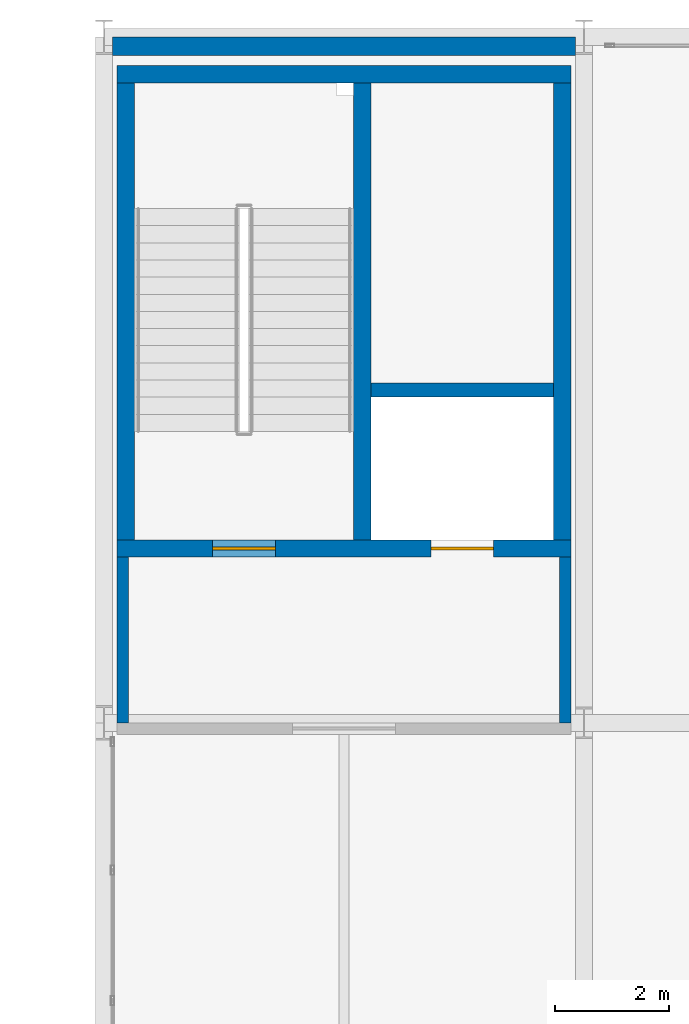
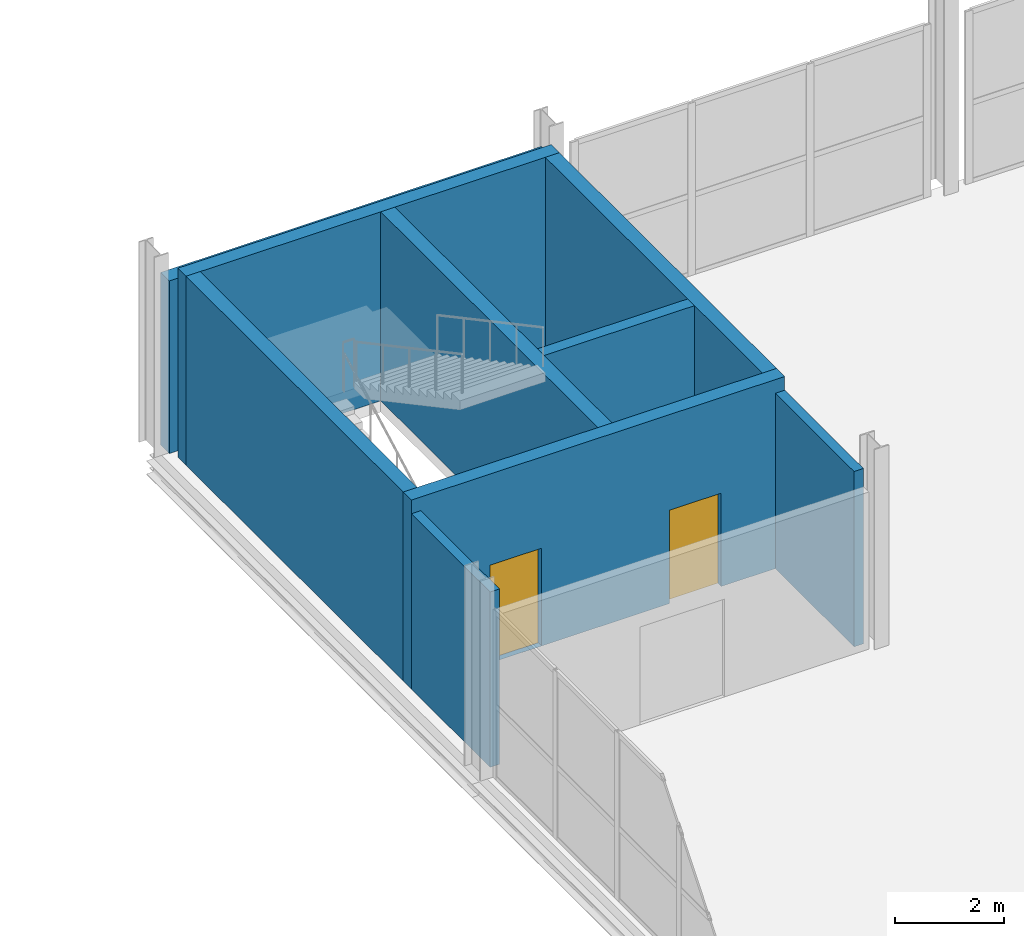
# One storey, part 99 of 109: 9 walls, 2 doors, 2 openings.
"""IFC4 building model written with IfcOpenShell, lengths in metres."""

from ifc_helpers import new_model, si_unit, direction, frame, frame_2d, origin, place, context, subcontext, project, spatial, rectangle, extrude, material, layer, layer_set, type_object, element, fill, save


model = new_model("IFC4")

# Units and contexts
model_context = context("Model", 3, precision=1e-05, world=origin(), true_north=direction((0.0, 1.0)))
body_context = subcontext(model_context, "Body", "Model", "MODEL_VIEW")
ifc_project = project(units=[si_unit("LENGTHUNIT", "METRE"), si_unit("AREAUNIT", "SQUARE_METRE"), si_unit("VOLUMEUNIT", "CUBIC_METRE"), si_unit("PLANEANGLEUNIT", "RADIAN"), si_unit("MASSUNIT", "GRAM", prefix="KILO")], contexts=[model_context])

# Site, building, storey
site_placement = place(None, origin())
site = spatial("IfcSite", under=ifc_project, at=site_placement, CompositionType="ELEMENT")
building_placement = place(site_placement, origin())
building = spatial("IfcBuilding", under=site, at=building_placement, Name="Veltarok Museum of Natural Sciences", CompositionType="ELEMENT")
storey_placement = place(building_placement, frame((0.0, 0.0, 17.39990234375)))
storey = spatial("IfcBuildingStorey", under=building, at=storey_placement, Name="L03", CompositionType="ELEMENT", Elevation=17.39990234375)

# Walls
ifc_material_1 = material(Name="Concrete C35/45", Category="concrete")
ifc_layer_1 = layer(ifc_material_1, 0.199951171875)
ifc_layer_set_1 = layer_set([ifc_layer_1], Name="Concrete C35/45")
wall_type_1 = type_object("IfcWallType", Name="Firefighting Lobby Compartment Wall 200", PredefinedType="SOLIDWALL", material=ifc_layer_set_1)
for number, where, z_axis, x_axis, name in (
    (1, (40.330078125, 60.0, 0.0), (0.0, 0.0, 1.0), (0.0, 1.0, 0.0), "Firefighting Lobby Wall C3 L03 W"),
    (2, (48.070068359375, 62.89990234375, 0.0), (0.0, 0.0, 1.0), (0.0, -1.0, 0.0), "Firefighting Lobby Wall C3 L03 E"),
):
    element("IfcWall", number, at=place(storey_placement, frame(where, z_axis=z_axis, x_axis=x_axis)), inside=storey, type_object=wall_type_1, Name=name, PredefinedType="SOLIDWALL", context=body_context, shape_type="SweptSolid", body=[
        extrude(rectangle(XDim=2.89990234375, YDim=0.199951171875, at=frame_2d((1.449951171875, 0.0))), origin(), (0.0, 0.0, 1.0), 3.942138671875),
    ])
ifc_material_2 = material(Name="Precast concrete C40/50", Category="concrete")
ifc_layer_2 = layer(ifc_material_2, 0.320068359375)
ifc_layer_set_2 = layer_set([ifc_layer_2], Name="Precast concrete C40/50")
wall_type_2 = type_object("IfcWallType", Name="Insulated Precast Facade Wall 320", PredefinedType="SOLIDWALL", material=ifc_layer_set_2)
wall_1_placement = place(storey_placement, frame((48.25, 71.840087890625, 0.0), z_axis=(0.0, 0.0, 1.0), x_axis=(-1.0, 0.0, 0.0)))
element("IfcWall", 3, at=wall_1_placement, inside=storey, type_object=wall_type_2, Name="Core C3 North Exterior Facade Wall L03", PredefinedType="SOLIDWALL", context=body_context, shape_type="SweptSolid", body=[
    extrude(rectangle(XDim=8.10009765625, YDim=0.320068359375, at=frame_2d((4.050048828125, 0.0))), origin(), (0.0, 0.0, 1.0), 3.880126953125),
])
ifc_material_3 = material(Name="Concrete C40/50", Category="concrete")
ifc_layer_3 = layer(ifc_material_3, 0.25)
ifc_layer_set_3 = layer_set([ifc_layer_3], Name="Concrete C40/50")
wall_type_3 = type_object("IfcWallType", Name="Lift Shaft Concrete Shear Wall 250", PredefinedType="SHEAR", material=ifc_layer_set_3)
wall_2_placement = place(storey_placement, frame((44.669921875, 65.824951171875, 0.0), z_axis=(0.0, 0.0, 1.0), x_axis=(1.0, 0.0, 0.0)))
element("IfcWall", 4, at=wall_2_placement, inside=storey, type_object=wall_type_3, Name="Lift Shaft Back Wall C3 L03", PredefinedType="SHEAR", context=body_context, shape_type="SweptSolid", body=[
    extrude(rectangle(XDim=3.2001953125, YDim=0.25, at=frame_2d((1.60009765625, 0.0))), origin(), (0.0, 0.0, 1.0), 4.25),
])

# Wall, openings, doors
ifc_layer_4 = layer(ifc_material_3, 0.300048828125)
ifc_layer_set_4 = layer_set([ifc_layer_4], Name="Concrete C40/50")
wall_type_4 = type_object("IfcWallType", Name="Protected Core Shear Wall 300", PredefinedType="SHEAR", material=ifc_layer_set_4)
wall_3_placement = place(storey_placement, frame((40.22998046875, 63.050048828125, 0.0), z_axis=(0.0, 0.0, 1.0), x_axis=(1.0, 0.0, 0.0)))
wall_3 = element("IfcWall", 5, at=wall_3_placement, inside=storey, type_object=wall_type_4, Name="Core Shear Wall C3 L03 S", PredefinedType="SHEAR", context=body_context, shape_type="SweptSolid", body=[
    extrude(rectangle(XDim=7.93994140625, YDim=0.300048828125, at=frame_2d((3.969970703125, 0.0))), origin(), (0.0, 0.0, 1.0), 4.25),
])
opening_1_placement = place(wall_3_placement, frame((1.669921875, 0.0, 0.0)))
opening_1 = element("IfcOpeningElement", 6, at=opening_1_placement, cuts=wall_3, Name="Opening D-L03-050", PredefinedType="OPENING", context=body_context, shape_type="SweptSolid", body=[
    extrude(rectangle(XDim=1.10009765625, YDim=2.199951171875, at=frame_2d((0.550048828125, 1.10009765625))), frame((0.0, 0.16015625, 0.0), z_axis=(0.0, -1.0, 0.0), x_axis=(1.0, 0.0, 0.0)), (0.0, 0.0, 1.0), 0.320068359375),
])
opening_2_placement = place(wall_3_placement, frame((5.489990234375, 0.0, 0.0)))
opening_2 = element("IfcOpeningElement", 7, at=opening_2_placement, cuts=wall_3, Name="Opening LD-L03-LP-03", PredefinedType="OPENING", context=body_context, shape_type="SweptSolid", body=[
    extrude(rectangle(XDim=1.10009765625, YDim=2.10009765625, at=frame_2d((0.550048828125, 1.050048828125))), frame((0.0, 0.16015625, 0.0), z_axis=(0.0, -1.0, 0.0), x_axis=(1.0, 0.0, 0.0)), (0.0, 0.0, 1.0), 0.320068359375),
])
ifc_material_4 = material(Name="Fire-rated painted steel", Category="steel")
door_type_1 = type_object("IfcDoorType", Name="Fire Core Single Escape Door 1100x2200", OperationType="NOTDEFINED", PredefinedType="DOOR", material=ifc_material_4)
door_1_placement = place(opening_1_placement, origin())
door_1 = element("IfcDoor", 8, at=door_1_placement, inside=storey, type_object=door_type_1, Name="Protected Stair Door ST-03 L03", OperationType="SINGLE_SWING_RIGHT", OverallHeight=2.199951171875, OverallWidth=1.10009765625, PredefinedType="DOOR", context=body_context, shape_type="SweptSolid", body=[
    extrude(rectangle(XDim=1.10009765625, YDim=2.199951171875, at=frame_2d((0.550048828125, 1.10009765625))), frame((0.0, 0.02490234375, 0.0), z_axis=(0.0, -1.0, 0.0), x_axis=(1.0, 0.0, 0.0)), (0.0, 0.0, 1.0), 0.050048828125),
])
fill(opening_1, door_1)
ifc_material_5 = material(Name="Brushed stainless steel", Category="steel")
door_type_2 = type_object("IfcDoorType", Name="Passenger and Firefighting Lift Landing Door 1100x2100", OperationType="SLIDING_TO_LEFT", PredefinedType="DOOR", material=ifc_material_5)
door_2_placement = place(opening_2_placement, origin())
door_2 = element("IfcDoor", 9, at=door_2_placement, inside=storey, type_object=door_type_2, Name="Sliding Lift Landing Door LD-L03-LP-03", OperationType="SLIDING_TO_LEFT", OverallHeight=2.10009765625, OverallWidth=1.10009765625, PredefinedType="DOOR", context=body_context, shape_type="SweptSolid", body=[
    extrude(rectangle(XDim=1.10009765625, YDim=2.10009765625, at=frame_2d((0.550048828125, 1.050048828125))), frame((0.0, 0.02490234375, 0.0), z_axis=(0.0, -1.0, 0.0), x_axis=(1.0, 0.0, 0.0)), (0.0, 0.0, 1.0), 0.050048828125),
])
fill(opening_2, door_2)

# Walls
wall_4_placement = place(storey_placement, frame((48.169921875, 71.35009765625, 0.0), z_axis=(0.0, 0.0, 1.0), x_axis=(-1.0, 0.0, 0.0)))
element("IfcWall", 10, at=wall_4_placement, inside=storey, type_object=wall_type_4, Name="Core Shear Wall C3 L03 N", PredefinedType="SHEAR", context=body_context, shape_type="SweptSolid", body=[
    extrude(rectangle(XDim=7.93994140625, YDim=0.300048828125, at=frame_2d((3.969970703125, 0.0))), origin(), (0.0, 0.0, 1.0), 4.25),
])
for number, where, z_axis, x_axis, name in (
    (11, (40.3798828125, 71.199951171875, 0.0), (0.0, 0.0, 1.0), (0.0, -1.0, 0.0), "Core Shear Wall C3 L03 W"),
    (12, (48.02001953125, 63.199951171875, 0.0), (0.0, 0.0, 1.0), (0.0, 1.0, 0.0), "Core Shear Wall C3 L03 E"),
    (13, (44.52001953125, 63.199951171875, 0.0), (0.0, 0.0, 1.0), (0.0, 1.0, 0.0), "Core Shear Wall C3 L03 DIV"),
):
    element("IfcWall", number, at=place(storey_placement, frame(where, z_axis=z_axis, x_axis=x_axis)), inside=storey, type_object=wall_type_4, Name=name, PredefinedType="SHEAR", context=body_context, shape_type="SweptSolid", body=[
        extrude(rectangle(XDim=8.0, YDim=0.300048828125, at=frame_2d((4.0, 0.0))), origin(), (0.0, 0.0, 1.0), 4.25),
    ])

save(model, "model.ifc")
